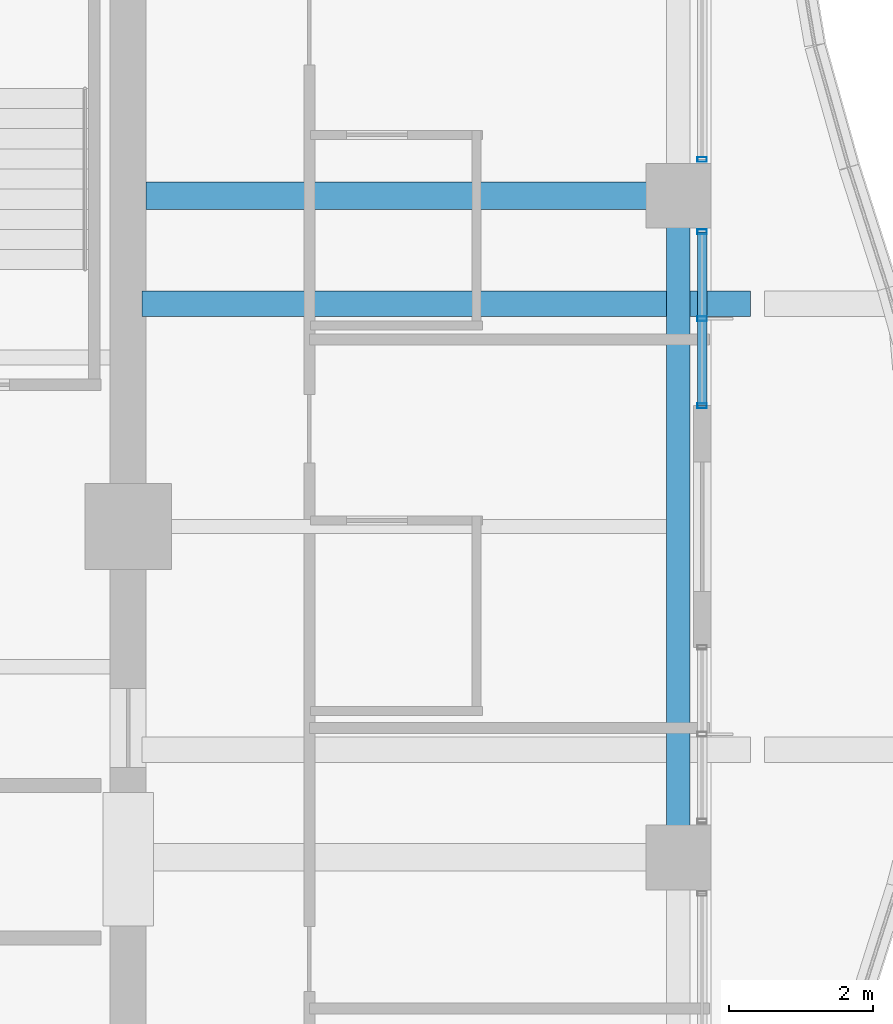
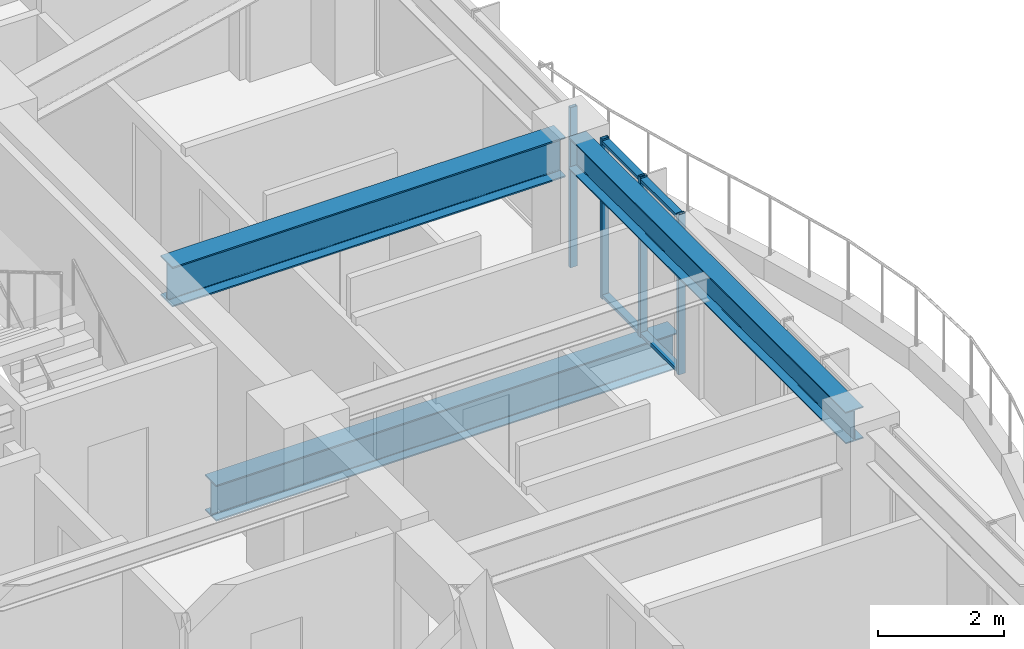
# One storey, part 15 of 33: 6 members, 3 beams, 2 elements without a shape of their own.
"""IFC4 building model written with IfcOpenShell, lengths in metres."""

from ifc_helpers import new_model, si_unit, direction, frame, origin, origin_2d, place, context, subcontext, project, spatial, hollow_rectangle, i_section, extrude, material, material_profile, profile_set, type_object, element, aggregate, save


model = new_model("IFC4")

# Units and contexts
model_context = context("Model", 3, precision=1e-05, world=origin(), true_north=direction((0.0, 1.0)))
body_context = subcontext(model_context, "Body", "Model", "MODEL_VIEW")
ifc_project = project(units=[si_unit("LENGTHUNIT", "METRE"), si_unit("AREAUNIT", "SQUARE_METRE"), si_unit("VOLUMEUNIT", "CUBIC_METRE"), si_unit("PLANEANGLEUNIT", "RADIAN"), si_unit("MASSUNIT", "GRAM", prefix="KILO")], contexts=[model_context])

# Site, building, storey
site_placement = place(None, origin())
site = spatial("IfcSite", under=ifc_project, at=site_placement, CompositionType="ELEMENT")
building_placement = place(site_placement, origin())
building = spatial("IfcBuilding", under=site, at=building_placement, Name="Kolvaren Belvedere", CompositionType="ELEMENT")
storey_placement = place(building_placement, frame((0.0, 0.0, 128.300048828125)))
storey = spatial("IfcBuildingStorey", under=building, at=storey_placement, Name="L37", CompositionType="ELEMENT", Elevation=128.300048828125)

# Beams
ifc_material_1 = material(Name="Structural steel ASTM A992 Grade 50", Category="steel")
ifc_material_profile_1 = material_profile(ifc_material_1, i_section(OverallWidth=0.35498046875, OverallDepth=0.696044921875, WebThickness=0.015380859375, FlangeThickness=0.02490234375, FilletRadius=0.02197265625, at=origin_2d()), Name="W27X146")
ifc_profile_set_1 = profile_set([ifc_material_profile_1], Name="Structural steel ASTM A992 Grade 50")
beam_type_1 = type_object("IfcBeamType", Name="BM-GIRD-W27X146", PredefinedType="BEAM", material=ifc_profile_set_1)
beam_1_placement = place(storey_placement, frame((10.090087890625, 3.10009765625, -0.548095703125), z_axis=(1.0, 0.0, 0.0), x_axis=(0.0, 1.0, 0.0)))
element("IfcBeam", 1, at=beam_1_placement, inside=storey, type_object=beam_type_1, Name="L37 Balcony Interior Back-Span Girder BAL-E-2", PredefinedType="BEAM", context=body_context, shape_type="SweptSolid", body=[
    extrude(i_section(OverallWidth=0.35498046875, OverallDepth=0.696044921875, WebThickness=0.015380859375, FlangeThickness=0.02490234375, FilletRadius=0.02197265625, at=origin_2d()), origin(), (0.0, 0.0, 1.0), 8.46484375),
])
ifc_material_2 = material(Name="Structural steel ASTM A992 Grade 50", Category="steel")
ifc_material_profile_2 = material_profile(ifc_material_2, i_section(OverallWidth=0.381103515625, OverallDepth=0.77294921875, WebThickness=0.0166015625, FlangeThickness=0.027099609375, FilletRadius=0.02392578125, at=origin_2d()), Name="W30X173")
ifc_profile_set_2 = profile_set([ifc_material_profile_2], Name="Structural steel ASTM A992 Grade 50")
beam_type_2 = type_object("IfcBeamType", Name="BM-GIRD-W30X173", PredefinedType="BEAM", material=ifc_profile_set_2)
beam_2_placement = place(storey_placement, frame((10.14990234375, 4.60009765625, 2.71337890625), z_axis=(1.0, 0.0, 0.0), x_axis=(0.0, 1.0, 0.0)))
element("IfcBeam", 2, at=beam_2_placement, inside=storey, type_object=beam_type_2, Name="L37 East Radial Girder P", PredefinedType="BEAM", context=body_context, shape_type="SweptSolid", body=[
    extrude(i_section(OverallWidth=0.381103515625, OverallDepth=0.77294921875, WebThickness=0.0166015625, FlangeThickness=0.027099609375, FilletRadius=0.02392578125, at=origin_2d()), origin(), (0.0, 0.0, 1.0), 7.197509765625),
])
ifc_material_3 = material(Name="Structural steel ASTM A992 Grade 50", Category="steel")
ifc_material_profile_3 = material_profile(ifc_material_3, i_section(OverallWidth=0.324951171875, OverallDepth=0.615966796875, WebThickness=0.013916015625, FlangeThickness=0.021484375, FilletRadius=0.02001953125, at=origin_2d()), Name="W24X117")
ifc_profile_set_3 = profile_set([ifc_material_profile_3], Name="Structural steel ASTM A992 Grade 50")
beam_type_3 = type_object("IfcBeamType", Name="BM-SPAN-W24X117", PredefinedType="SPANDREL", material=ifc_profile_set_3)
beam_3_placement = place(storey_placement, frame((17.550048828125, -4.3974609375, 2.7919921875), z_axis=(0.0, 1.0, 0.0), x_axis=(-1.0, 0.0, 0.0)))
element("IfcBeam", 3, at=beam_3_placement, inside=storey, type_object=beam_type_3, Name="L37 Perimeter Spandrel E2-E3", PredefinedType="SPANDREL", context=body_context, shape_type="SweptSolid", body=[
    extrude(i_section(OverallWidth=0.324951171875, OverallDepth=0.615966796875, WebThickness=0.013916015625, FlangeThickness=0.021484375, FilletRadius=0.02001953125, at=origin_2d()), origin(), (0.0, 0.0, 1.0), 8.794921875),
])

# Curtain wall, member
ifc_material_4 = material(Name="Anodised pale-metal aluminium AA 6063-T6", Category="aluminium")
curtain_wall_type = type_object("IfcCurtainWallType", Name="CW-Z3-WAIST", PredefinedType="NOTDEFINED", material=ifc_material_4)
curtain_wall_1_placement = place(storey_placement, origin())
curtain_wall_1 = element("IfcCurtainWall", 4, at=curtain_wall_1_placement, inside=storey, type_object=curtain_wall_type, Name="L37 Unitised Curtain Wall FCW-L37-E1-B1", PredefinedType="NOTDEFINED")
ifc_material_5 = material(Name="Anodised pale-metal aluminium AA 6063-T6", Category="aluminium")
ifc_material_profile_4 = material_profile(ifc_material_5, hollow_rectangle(XDim=0.06494140625, YDim=0.1298828125, WallThickness=0.00390625, at=origin_2d()), Name="ALU-MUL-130X65")
ifc_profile_set_4 = profile_set([ifc_material_profile_4], Name="Anodised pale-metal aluminium AA 6063-T6")
member_type_1 = type_object("IfcMemberType", Name="CW-MUL-130", PredefinedType="MULLION", material=ifc_profile_set_4)
member_1_placement = place(storey_placement, frame((17.8798828125, 5.1025390625, 0.0), z_axis=(0.0, 0.0, 1.0), x_axis=(0.0, 1.0, 0.0)))
member_1 = element("IfcMember", 5, at=member_1_placement, type_object=member_type_1, Name="FCW-L37-E1-B1 Unitised Mullion 3", PredefinedType="MULLION", context=body_context, shape_type="SweptSolid", body=[
    extrude(hollow_rectangle(XDim=0.06494140625, YDim=0.1298828125, WallThickness=0.00390625, at=origin_2d()), origin(), (0.0, 0.0, 1.0), 3.099853515625),
])
aggregate(curtain_wall_1, [member_1])

# Curtain wall, members
curtain_wall_2_placement = place(storey_placement, origin())
curtain_wall_2 = element("IfcCurtainWall", 6, at=curtain_wall_2_placement, inside=storey, type_object=curtain_wall_type, Name="L37 Unitised Curtain Wall FCW-L37-E1-B2", PredefinedType="NOTDEFINED")
member_2_placement = place(storey_placement, frame((17.8798828125, 4.097412109375, 0.0), z_axis=(0.0, 0.0, 1.0), x_axis=(0.0, 1.0, 0.0)))
member_2 = element("IfcMember", 7, at=member_2_placement, type_object=member_type_1, Name="FCW-L37-E1-B2 Unitised Mullion 1", PredefinedType="MULLION", context=body_context, shape_type="SweptSolid", body=[
    extrude(hollow_rectangle(XDim=0.06494140625, YDim=0.1298828125, WallThickness=0.00390625, at=origin_2d()), origin(), (0.0, 0.0, 1.0), 3.099853515625),
])
member_3_placement = place(storey_placement, frame((17.8798828125, 2.888671875, 0.0), z_axis=(0.0, 0.0, 1.0), x_axis=(0.0, 1.0, 0.0)))
member_3 = element("IfcMember", 8, at=member_3_placement, type_object=member_type_1, Name="FCW-L37-E1-B2 Unitised Mullion 2", PredefinedType="MULLION", context=body_context, shape_type="SweptSolid", body=[
    extrude(hollow_rectangle(XDim=0.06494140625, YDim=0.1298828125, WallThickness=0.00390625, at=origin_2d()), origin(), (0.0, 0.0, 1.0), 3.099853515625),
])
member_4_placement = place(storey_placement, frame((17.8798828125, 1.679931640625, 0.0), z_axis=(0.0, 0.0, 1.0), x_axis=(0.0, 1.0, 0.0)))
member_4 = element("IfcMember", 9, at=member_4_placement, type_object=member_type_1, Name="FCW-L37-E1-B2 Unitised Mullion 3", PredefinedType="MULLION", context=body_context, shape_type="SweptSolid", body=[
    extrude(hollow_rectangle(XDim=0.06494140625, YDim=0.1298828125, WallThickness=0.00390625, at=origin_2d()), origin(), (0.0, 0.0, 1.0), 3.099853515625),
])
ifc_material_6 = material(Name="Anodised pale-metal aluminium AA 6063-T6", Category="aluminium")
ifc_material_profile_5 = material_profile(ifc_material_6, hollow_rectangle(XDim=0.06005859375, YDim=0.1298828125, WallThickness=0.00390625, at=origin_2d()), Name="ALU-TRN-130X60")
ifc_profile_set_5 = profile_set([ifc_material_profile_5], Name="Anodised pale-metal aluminium AA 6063-T6")
member_type_2 = type_object("IfcMemberType", Name="CW-TRN-130", PredefinedType="USERDEFINED", material=ifc_profile_set_5)
member_5_placement = place(storey_placement, frame((17.8798828125, 4.097412109375, 0.06005859375), z_axis=(0.0, -1.0, 0.0), x_axis=(0.0, 0.0, 1.0)))
member_5 = element("IfcMember", 10, at=member_5_placement, type_object=member_type_2, Name="FCW-L37-E1-B2 Sill Transom", ObjectType="TRANSOM", PredefinedType="USERDEFINED", context=body_context, shape_type="SweptSolid", body=[
    extrude(hollow_rectangle(XDim=0.06005859375, YDim=0.1298828125, WallThickness=0.00390625, at=origin_2d()), origin(), (0.0, 0.0, 1.0), 2.41748046875),
])
member_6_placement = place(storey_placement, frame((17.8798828125, 4.097412109375, 3.0400390625), z_axis=(0.0, -1.0, 0.0), x_axis=(0.0, 0.0, 1.0)))
member_6 = element("IfcMember", 11, at=member_6_placement, type_object=member_type_2, Name="FCW-L37-E1-B2 Head Transom", ObjectType="TRANSOM", PredefinedType="USERDEFINED", context=body_context, shape_type="SweptSolid", body=[
    extrude(hollow_rectangle(XDim=0.06005859375, YDim=0.1298828125, WallThickness=0.00390625, at=origin_2d()), origin(), (0.0, 0.0, 1.0), 2.41748046875),
])
aggregate(curtain_wall_2, [member_2, member_3, member_4, member_5, member_6])

save(model, "model.ifc")
